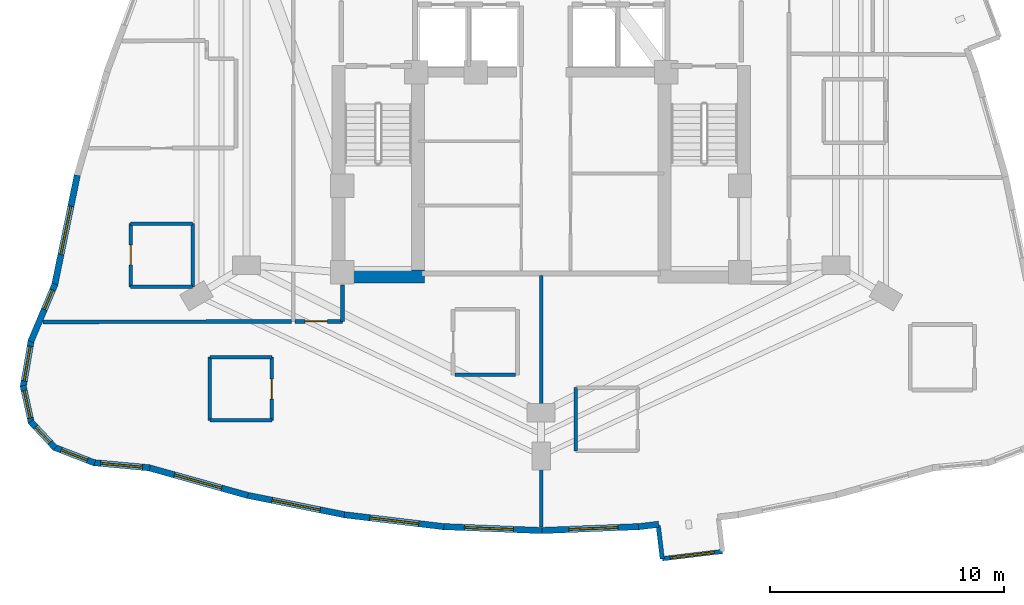
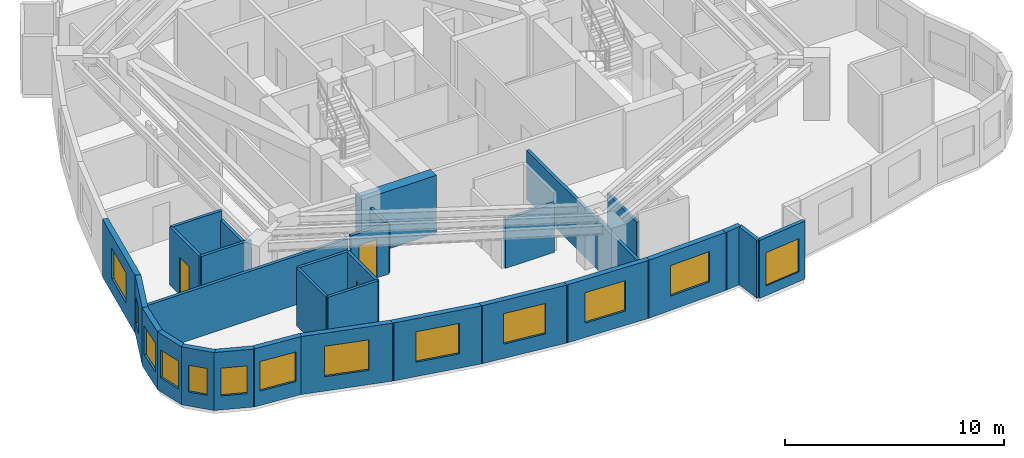
# One storey, part 6 of 12: 30 walls, 13 windows, 3 doors, 16 openings.
"""IFC4 building model written with IfcOpenShell, lengths in metres."""

from ifc_helpers import new_model, si_unit, direction, frame, frame_2d, origin, place, context, subcontext, project, spatial, rectangle, extrude, material, layer, layer_set, type_object, element, fill, save


model = new_model("IFC4")

# Units and contexts
model_context = context("Model", 3, precision=1e-05, world=origin(), true_north=direction((0.0, 1.0)))
body_context = subcontext(model_context, "Body", "Model", "MODEL_VIEW")
ifc_project = project(units=[si_unit("LENGTHUNIT", "METRE"), si_unit("AREAUNIT", "SQUARE_METRE"), si_unit("VOLUMEUNIT", "CUBIC_METRE"), si_unit("PLANEANGLEUNIT", "RADIAN"), si_unit("MASSUNIT", "GRAM", prefix="KILO")], contexts=[model_context])

# Site, building, storey
site_placement = place(None, origin())
site = spatial("IfcSite", under=ifc_project, at=site_placement, CompositionType="ELEMENT")
building_placement = place(site_placement, origin())
building = spatial("IfcBuilding", under=site, at=building_placement, Name="Miruveldt Soraemaru", CompositionType="ELEMENT")
storey_placement = place(building_placement, frame((0.0, 0.0, 107.39990234375)))
storey = spatial("IfcBuildingStorey", under=building, at=storey_placement, Name="L29", CompositionType="ELEMENT", Elevation=107.39990234375)

# Wall
ifc_material_1 = material(Name="White powder-coated aluminium EN AW-6060 T6", Category="aluminium")
ifc_layer_1 = layer(ifc_material_1, 0.18994140625, Name="White powder-coated aluminium EN AW-6060 T6", Category="aluminium")
ifc_layer_set_1 = layer_set([ifc_layer_1], Name="White powder-coated aluminium EN AW-6060 T6")
wall_type_1 = type_object("IfcWallType", Name="WALL-BAY-ALU190", PredefinedType="SOLIDWALL", material=ifc_layer_set_1)
wall_1_placement = place(storey_placement, frame((49.00439453125, 24.66650390625, 0.0), z_axis=(0.0, 0.0, 1.0), x_axis=(0.119246559468, -0.992864672579, 0.0)))
element("IfcWall", 1, at=wall_1_placement, inside=storey, type_object=wall_type_1, Name="L29 Bay Window Side Cheek 1L", PredefinedType="SOLIDWALL", context=body_context, shape_type="SweptSolid", body=[
    extrude(rectangle(XDim=1.425048828125, YDim=0.18994140625, at=frame_2d((0.71240234375, 0.0))), origin(), (0.0, 0.0, 1.0), 3.235107421875),
])

# Wall, opening, window
wall_2_placement = place(storey_placement, frame((49.17431640625, 23.251708984375, 0.0), z_axis=(0.0, 0.0, 1.0), x_axis=(0.992885278793, 0.119074863663, 0.0)))
wall_2 = element("IfcWall", 2, at=wall_2_placement, inside=storey, type_object=wall_type_1, Name="L29 Bay Window Front Frame 1", PredefinedType="SOLIDWALL", context=body_context, shape_type="SweptSolid", body=[
    extrude(rectangle(XDim=2.599853515625, YDim=0.18994140625, at=frame_2d((1.2998046875, 0.0))), origin(), (0.0, 0.0, 1.0), 3.235107421875),
])
opening_1_placement = place(wall_2_placement, frame((0.35009765625, 0.0, 0.550048828125)))
opening_1 = element("IfcOpeningElement", 3, at=opening_1_placement, cuts=wall_2, Name="Opening WN-6", PredefinedType="OPENING", context=body_context, shape_type="SweptSolid", body=[
    extrude(rectangle(XDim=1.89990234375, YDim=1.85009765625, at=frame_2d((0.949951171875, 0.925048828125))), frame((0.0, 0.10498046875, 0.0), z_axis=(0.0, -1.0, 0.0), x_axis=(1.0, 0.0, 0.0)), (0.0, 0.0, 1.0), 0.2099609375),
])
ifc_material_2 = material(Name="Triple low-e insulated glazing", Category="glass")
window_type_1 = type_object("IfcWindowType", Name="WIN-BAYW-1900x1850", PartitioningType="SINGLE_PANEL", PredefinedType="WINDOW", material=ifc_material_2)
window_1_placement = place(opening_1_placement, origin())
window_1 = element("IfcWindow", 4, at=window_1_placement, inside=storey, type_object=window_type_1, Name="L29 Projecting Bay Window 1", OverallHeight=1.85009765625, OverallWidth=1.89990234375, PartitioningType="SINGLE_PANEL", PredefinedType="WINDOW", context=body_context, shape_type="SweptSolid", body=[
    extrude(rectangle(XDim=1.89990234375, YDim=1.85009765625, at=frame_2d((0.949951171875, 0.925048828125))), frame((0.0, 0.030029296875, 0.0), z_axis=(0.0, -1.0, 0.0), x_axis=(1.0, 0.0, 0.0)), (0.0, 0.0, 1.0), 0.06005859375),
])
fill(opening_1, window_1)

# Wall
ifc_material_3 = material(Name="Concrete C70/85 (70 MPa)", Category="concrete")
ifc_layer_2 = layer(ifc_material_3, 0.550048828125, Name="Concrete C70/85 (70 MPa)", Category="concrete")
ifc_layer_set_2 = layer_set([ifc_layer_2], Name="Concrete C70/85 (70 MPa)")
wall_type_2 = type_object("IfcWallType", Name="WALL-CW-550", PredefinedType="SHEAR", material=ifc_layer_set_2)
wall_3_placement = place(storey_placement, frame((35.050048828125, 35.324951171875, 0.0), z_axis=(0.0, 0.0, 1.0), x_axis=(1.0, 0.0, 0.0)))
element("IfcWall", 5, at=wall_3_placement, inside=storey, type_object=wall_type_2, Name="L29 Central Core Shear Wall S1", PredefinedType="SHEAR", context=body_context, shape_type="SweptSolid", body=[
    extrude(rectangle(XDim=3.949951171875, YDim=0.550048828125, at=frame_2d((1.97509765625, 0.0))), origin(), (0.0, 0.0, 1.0), 3.235107421875),
])

# Wall, opening, window
ifc_material_4 = material(Name="Precast concrete C45/55 (45 MPa)", Category="concrete")
ifc_layer_3 = layer(ifc_material_4, 0.27001953125, Name="Precast concrete C45/55 (45 MPa)", Category="concrete")
ifc_layer_set_3 = layer_set([ifc_layer_3], Name="Precast concrete C45/55 (45 MPa)")
wall_type_3 = type_object("IfcWallType", Name="WALL-EXT-PC270", PredefinedType="SOLIDWALL", material=ifc_layer_set_3)
wall_4_placement = place(storey_placement, frame((24.16162109375, 39.652099609375, 0.0), z_axis=(0.0, 0.0, 1.0), x_axis=(-0.201557182252, -0.97947674923, 0.0)))
wall_4 = element("IfcWall", 6, at=wall_4_placement, inside=storey, type_object=wall_type_3, Name="L29 Precast Concrete Facade Wall 14", PredefinedType="SOLIDWALL", context=body_context, shape_type="SweptSolid", body=[
    extrude(rectangle(XDim=4.82080078125, YDim=0.27001953125, at=frame_2d((2.410400390625, 0.0))), origin(), (0.0, 0.0, 1.0), 3.235107421875),
])
opening_2_placement = place(wall_4_placement, frame((1.360107421875, 0.0, 0.800048828125)))
opening_2 = element("IfcOpeningElement", 7, at=opening_2_placement, cuts=wall_4, Name="Opening WN-1", PredefinedType="OPENING", context=body_context, shape_type="SweptSolid", body=[
    extrude(rectangle(XDim=2.10009765625, YDim=1.699951171875, at=frame_2d((1.050048828125, 0.85009765625))), frame((0.0, 0.14501953125, 0.0), z_axis=(0.0, -1.0, 0.0), x_axis=(1.0, 0.0, 0.0)), (0.0, 0.0, 1.0), 0.2900390625),
])
window_type_2 = type_object("IfcWindowType", Name="WIN-PUNCH-2100x1700", PartitioningType="SINGLE_PANEL", PredefinedType="WINDOW", material=ifc_material_2)
window_2_placement = place(opening_2_placement, origin())
window_2 = element("IfcWindow", 8, at=window_2_placement, inside=storey, type_object=window_type_2, Name="L29 Punched Triple-Glazed Window 14.1", OverallHeight=1.699951171875, OverallWidth=2.10009765625, PartitioningType="SINGLE_PANEL", PredefinedType="WINDOW", context=body_context, shape_type="SweptSolid", body=[
    extrude(rectangle(XDim=2.10009765625, YDim=1.699951171875, at=frame_2d((1.050048828125, 0.85009765625))), frame((0.0, 0.030029296875, 0.0), z_axis=(0.0, -1.0, 0.0), x_axis=(1.0, 0.0, 0.0)), (0.0, 0.0, 1.0), 0.06005859375),
])
fill(opening_2, window_2)

wall_5_placement = place(storey_placement, frame((23.210693359375, 34.99658203125, 0.0), z_axis=(0.0, 0.0, 1.0), x_axis=(-0.38867133727, -0.921376465721, 0.0)))
wall_5 = element("IfcWall", 9, at=wall_5_placement, inside=storey, type_object=wall_type_3, Name="L29 Precast Concrete Facade Wall 15", PredefinedType="SOLIDWALL", context=body_context, shape_type="SweptSolid", body=[
    extrude(rectangle(XDim=2.66455078125, YDim=0.27001953125, at=frame_2d((1.332275390625, 0.0))), origin(), (0.0, 0.0, 1.0), 3.235107421875),
])
opening_3_placement = place(wall_5_placement, frame((0.279052734375, 0.0, 0.780029296875)))
opening_3 = element("IfcOpeningElement", 10, at=opening_3_placement, cuts=wall_5, Name="Opening WN-7", PredefinedType="OPENING", context=body_context, shape_type="SweptSolid", body=[
    extrude(rectangle(XDim=0.89990234375, YDim=1.5, at=frame_2d((0.449951171875, 0.75))), frame((0.0, 0.14501953125, 0.0), z_axis=(0.0, -1.0, 0.0), x_axis=(1.0, 0.0, 0.0)), (0.0, 0.0, 1.0), 0.2900390625),
])
window_type_3 = type_object("IfcWindowType", Name="WIN-PUNCH-900x1500", PartitioningType="SINGLE_PANEL", PredefinedType="WINDOW", material=ifc_material_2)
window_3_placement = place(opening_3_placement, origin())
window_3 = element("IfcWindow", 11, at=window_3_placement, inside=storey, type_object=window_type_3, Name="L29 Punched Triple-Glazed Window 15.1", OverallHeight=1.5, OverallWidth=0.89990234375, PartitioningType="SINGLE_PANEL", PredefinedType="WINDOW", context=body_context, shape_type="SweptSolid", body=[
    extrude(rectangle(XDim=0.89990234375, YDim=1.5, at=frame_2d((0.449951171875, 0.75))), frame((0.0, 0.030029296875, 0.0), z_axis=(0.0, -1.0, 0.0), x_axis=(1.0, 0.0, 0.0)), (0.0, 0.0, 1.0), 0.06005859375),
])
fill(opening_3, window_3)

wall_6_placement = place(storey_placement, frame((22.194580078125, 32.608154296875, 0.0), z_axis=(0.0, 0.0, 1.0), x_axis=(-0.16931007095, -0.985562834057, 0.0)))
wall_6 = element("IfcWall", 12, at=wall_6_placement, inside=storey, type_object=wall_type_3, Name="L29 Precast Concrete Facade Wall 16", PredefinedType="SOLIDWALL", context=body_context, shape_type="SweptSolid", body=[
    extrude(rectangle(XDim=2.054931640625, YDim=0.27001953125, at=frame_2d((1.02734375, 0.0))), origin(), (0.0, 0.0, 1.0), 3.235107421875),
])
opening_4_placement = place(wall_6_placement, frame((0.278076171875, 0.0, 0.800048828125)))
opening_4 = element("IfcOpeningElement", 13, at=opening_4_placement, cuts=wall_6, Name="Opening WN-3", PredefinedType="OPENING", context=body_context, shape_type="SweptSolid", body=[
    extrude(rectangle(XDim=1.5, YDim=1.60009765625, at=frame_2d((0.75, 0.800048828125))), frame((0.0, 0.14501953125, 0.0), z_axis=(0.0, -1.0, 0.0), x_axis=(1.0, 0.0, 0.0)), (0.0, 0.0, 1.0), 0.2900390625),
])
window_type_4 = type_object("IfcWindowType", Name="WIN-PUNCH-1500x1600", PartitioningType="SINGLE_PANEL", PredefinedType="WINDOW", material=ifc_material_2)
window_4_placement = place(opening_4_placement, origin())
window_4 = element("IfcWindow", 14, at=window_4_placement, inside=storey, type_object=window_type_4, Name="L29 Punched Triple-Glazed Window 16.1", OverallHeight=1.60009765625, OverallWidth=1.5, PartitioningType="SINGLE_PANEL", PredefinedType="WINDOW", context=body_context, shape_type="SweptSolid", body=[
    extrude(rectangle(XDim=1.5, YDim=1.60009765625, at=frame_2d((0.75, 0.800048828125))), frame((0.0, 0.030029296875, 0.0), z_axis=(0.0, -1.0, 0.0), x_axis=(1.0, 0.0, 0.0)), (0.0, 0.0, 1.0), 0.06005859375),
])
fill(opening_4, window_4)

wall_7_placement = place(storey_placement, frame((21.844970703125, 30.651611328125, 0.0), z_axis=(0.0, 0.0, 1.0), x_axis=(0.215628344591, -0.976475507634, 0.0)))
wall_7 = element("IfcWall", 15, at=wall_7_placement, inside=storey, type_object=wall_type_3, Name="L29 Precast Concrete Facade Wall 17", PredefinedType="SOLIDWALL", context=body_context, shape_type="SweptSolid", body=[
    extrude(rectangle(XDim=1.628173828125, YDim=0.27001953125, at=frame_2d((0.81396484375, 0.0))), origin(), (0.0, 0.0, 1.0), 3.235107421875),
])
opening_5_placement = place(wall_7_placement, frame((0.214111328125, 0.0, 0.780029296875)))
opening_5 = element("IfcOpeningElement", 16, at=opening_5_placement, cuts=wall_7, Name="Opening WN-4", PredefinedType="OPENING", context=body_context, shape_type="SweptSolid", body=[
    extrude(rectangle(XDim=1.199951171875, YDim=1.550048828125, at=frame_2d((0.60009765625, 0.77490234375))), frame((0.0, 0.14501953125, 0.0), z_axis=(0.0, -1.0, 0.0), x_axis=(1.0, 0.0, 0.0)), (0.0, 0.0, 1.0), 0.2900390625),
])
window_type_5 = type_object("IfcWindowType", Name="WIN-PUNCH-1200x1550", PartitioningType="SINGLE_PANEL", PredefinedType="WINDOW", material=ifc_material_2)
window_5_placement = place(opening_5_placement, origin())
window_5 = element("IfcWindow", 17, at=window_5_placement, inside=storey, type_object=window_type_5, Name="L29 Punched Triple-Glazed Window 17.1", OverallHeight=1.550048828125, OverallWidth=1.199951171875, PartitioningType="SINGLE_PANEL", PredefinedType="WINDOW", context=body_context, shape_type="SweptSolid", body=[
    extrude(rectangle(XDim=1.199951171875, YDim=1.550048828125, at=frame_2d((0.60009765625, 0.77490234375))), frame((0.0, 0.030029296875, 0.0), z_axis=(0.0, -1.0, 0.0), x_axis=(1.0, 0.0, 0.0)), (0.0, 0.0, 1.0), 0.06005859375),
])
fill(opening_5, window_5)

wall_8_placement = place(storey_placement, frame((22.164794921875, 29.12158203125, 0.0), z_axis=(0.0, 0.0, 1.0), x_axis=(0.68019166937, -0.733034305418, 0.0)))
wall_8 = element("IfcWall", 18, at=wall_8_placement, inside=storey, type_object=wall_type_3, Name="L29 Precast Concrete Facade Wall 18", PredefinedType="SOLIDWALL", context=body_context, shape_type="SweptSolid", body=[
    extrude(rectangle(XDim=1.552490234375, YDim=0.27001953125, at=frame_2d((0.7763671875, 0.0))), origin(), (0.0, 0.0, 1.0), 3.235107421875),
])
opening_6_placement = place(wall_8_placement, frame((0.325927734375, 0.0, 0.780029296875)))
opening_6 = element("IfcOpeningElement", 19, at=opening_6_placement, cuts=wall_8, Name="Opening WN-7", PredefinedType="OPENING", context=body_context, shape_type="SweptSolid", body=[
    extrude(rectangle(XDim=0.89990234375, YDim=1.5, at=frame_2d((0.449951171875, 0.75))), frame((0.0, 0.14501953125, 0.0), z_axis=(0.0, -1.0, 0.0), x_axis=(1.0, 0.0, 0.0)), (0.0, 0.0, 1.0), 0.2900390625),
])
window_6_placement = place(opening_6_placement, origin())
window_6 = element("IfcWindow", 20, at=window_6_placement, inside=storey, type_object=window_type_3, Name="L29 Punched Triple-Glazed Window 18.1", OverallHeight=1.5, OverallWidth=0.89990234375, PartitioningType="SINGLE_PANEL", PredefinedType="WINDOW", context=body_context, shape_type="SweptSolid", body=[
    extrude(rectangle(XDim=0.89990234375, YDim=1.5, at=frame_2d((0.449951171875, 0.75))), frame((0.0, 0.030029296875, 0.0), z_axis=(0.0, -1.0, 0.0), x_axis=(1.0, 0.0, 0.0)), (0.0, 0.0, 1.0), 0.06005859375),
])
fill(opening_6, window_6)

wall_9_placement = place(storey_placement, frame((23.164306640625, 28.02197265625, 0.0), z_axis=(0.0, 0.0, 1.0), x_axis=(0.932266214278, -0.361773003023, 0.0)))
wall_9 = element("IfcWall", 21, at=wall_9_placement, inside=storey, type_object=wall_type_3, Name="L29 Precast Concrete Facade Wall 19", PredefinedType="SOLIDWALL", context=body_context, shape_type="SweptSolid", body=[
    extrude(rectangle(XDim=1.872802734375, YDim=0.27001953125, at=frame_2d((0.9365234375, 0.0))), origin(), (0.0, 0.0, 1.0), 3.235107421875),
])
opening_7_placement = place(wall_9_placement, frame((0.3369140625, 0.0, 0.780029296875)))
opening_7 = element("IfcOpeningElement", 22, at=opening_7_placement, cuts=wall_9, Name="Opening WN-4", PredefinedType="OPENING", context=body_context, shape_type="SweptSolid", body=[
    extrude(rectangle(XDim=1.199951171875, YDim=1.550048828125, at=frame_2d((0.60009765625, 0.77490234375))), frame((0.0, 0.14501953125, 0.0), z_axis=(0.0, -1.0, 0.0), x_axis=(1.0, 0.0, 0.0)), (0.0, 0.0, 1.0), 0.2900390625),
])
window_7_placement = place(opening_7_placement, origin())
window_7 = element("IfcWindow", 23, at=window_7_placement, inside=storey, type_object=window_type_5, Name="L29 Punched Triple-Glazed Window 19.1", OverallHeight=1.550048828125, OverallWidth=1.199951171875, PartitioningType="SINGLE_PANEL", PredefinedType="WINDOW", context=body_context, shape_type="SweptSolid", body=[
    extrude(rectangle(XDim=1.199951171875, YDim=1.550048828125, at=frame_2d((0.60009765625, 0.77490234375))), frame((0.0, 0.030029296875, 0.0), z_axis=(0.0, -1.0, 0.0), x_axis=(1.0, 0.0, 0.0)), (0.0, 0.0, 1.0), 0.06005859375),
])
fill(opening_7, window_7)

wall_10_placement = place(storey_placement, frame((24.8427734375, 27.360595703125, 0.0), z_axis=(0.0, 0.0, 1.0), x_axis=(0.995757206461, -0.092019485874, 0.0)))
wall_10 = element("IfcWall", 24, at=wall_10_placement, inside=storey, type_object=wall_type_3, Name="L29 Precast Concrete Facade Wall 20", PredefinedType="SOLIDWALL", context=body_context, shape_type="SweptSolid", body=[
    extrude(rectangle(XDim=2.432861328125, YDim=0.27001953125, at=frame_2d((1.21630859375, 0.0))), origin(), (0.0, 0.0, 1.0), 3.235107421875),
])
opening_8_placement = place(wall_10_placement, frame((0.31689453125, 0.0, 0.800048828125)))
opening_8 = element("IfcOpeningElement", 25, at=opening_8_placement, cuts=wall_10, Name="Opening WN-2", PredefinedType="OPENING", context=body_context, shape_type="SweptSolid", body=[
    extrude(rectangle(XDim=1.800048828125, YDim=1.64990234375, at=frame_2d((0.89990234375, 0.824951171875))), frame((0.0, 0.14501953125, 0.0), z_axis=(0.0, -1.0, 0.0), x_axis=(1.0, 0.0, 0.0)), (0.0, 0.0, 1.0), 0.2900390625),
])
window_type_6 = type_object("IfcWindowType", Name="WIN-PUNCH-1800x1650", PartitioningType="SINGLE_PANEL", PredefinedType="WINDOW", material=ifc_material_2)
window_8_placement = place(opening_8_placement, origin())
window_8 = element("IfcWindow", 26, at=window_8_placement, inside=storey, type_object=window_type_6, Name="L29 Punched Triple-Glazed Window 20.1", OverallHeight=1.64990234375, OverallWidth=1.800048828125, PartitioningType="SINGLE_PANEL", PredefinedType="WINDOW", context=body_context, shape_type="SweptSolid", body=[
    extrude(rectangle(XDim=1.800048828125, YDim=1.64990234375, at=frame_2d((0.89990234375, 0.824951171875))), frame((0.0, 0.030029296875, 0.0), z_axis=(0.0, -1.0, 0.0), x_axis=(1.0, 0.0, 0.0)), (0.0, 0.0, 1.0), 0.06005859375),
])
fill(opening_8, window_8)

wall_11_placement = place(storey_placement, frame((27.19677734375, 27.1494140625, 0.0), z_axis=(0.0, 0.0, 1.0), x_axis=(0.962970324639, -0.269607406916, 0.0)))
wall_11 = element("IfcWall", 27, at=wall_11_placement, inside=storey, type_object=wall_type_3, Name="L29 Precast Concrete Facade Wall 21", PredefinedType="SOLIDWALL", context=body_context, shape_type="SweptSolid", body=[
    extrude(rectangle(XDim=4.423583984375, YDim=0.27001953125, at=frame_2d((2.2119140625, 0.0))), origin(), (0.0, 0.0, 1.0), 3.235107421875),
])
opening_9_placement = place(wall_11_placement, frame((1.162109375, 0.0, 0.800048828125)))
opening_9 = element("IfcOpeningElement", 28, at=opening_9_placement, cuts=wall_11, Name="Opening WN-1", PredefinedType="OPENING", context=body_context, shape_type="SweptSolid", body=[
    extrude(rectangle(XDim=2.10009765625, YDim=1.699951171875, at=frame_2d((1.050048828125, 0.85009765625))), frame((0.0, 0.14501953125, 0.0), z_axis=(0.0, -1.0, 0.0), x_axis=(1.0, 0.0, 0.0)), (0.0, 0.0, 1.0), 0.2900390625),
])
window_9_placement = place(opening_9_placement, origin())
window_9 = element("IfcWindow", 29, at=window_9_placement, inside=storey, type_object=window_type_2, Name="L29 Punched Triple-Glazed Window 21.1", OverallHeight=1.699951171875, OverallWidth=2.10009765625, PartitioningType="SINGLE_PANEL", PredefinedType="WINDOW", context=body_context, shape_type="SweptSolid", body=[
    extrude(rectangle(XDim=2.10009765625, YDim=1.699951171875, at=frame_2d((1.050048828125, 0.85009765625))), frame((0.0, 0.030029296875, 0.0), z_axis=(0.0, -1.0, 0.0), x_axis=(1.0, 0.0, 0.0)), (0.0, 0.0, 1.0), 0.06005859375),
])
fill(opening_9, window_9)

wall_12_placement = place(storey_placement, frame((31.388427734375, 25.972900390625, 0.0), z_axis=(0.0, 0.0, 1.0), x_axis=(0.98057635362, -0.196137744255, 0.0)))
wall_12 = element("IfcWall", 30, at=wall_12_placement, inside=storey, type_object=wall_type_3, Name="L29 Precast Concrete Facade Wall 22", PredefinedType="SOLIDWALL", context=body_context, shape_type="SweptSolid", body=[
    extrude(rectangle(XDim=4.345458984375, YDim=0.27001953125, at=frame_2d((2.1728515625, 0.0))), origin(), (0.0, 0.0, 1.0), 3.235107421875),
])
opening_10_placement = place(wall_12_placement, frame((1.1220703125, 0.0, 0.800048828125)))
opening_10 = element("IfcOpeningElement", 31, at=opening_10_placement, cuts=wall_12, Name="Opening WN-1", PredefinedType="OPENING", context=body_context, shape_type="SweptSolid", body=[
    extrude(rectangle(XDim=2.10009765625, YDim=1.699951171875, at=frame_2d((1.050048828125, 0.85009765625))), frame((0.0, 0.14501953125, 0.0), z_axis=(0.0, -1.0, 0.0), x_axis=(1.0, 0.0, 0.0)), (0.0, 0.0, 1.0), 0.2900390625),
])
window_10_placement = place(opening_10_placement, origin())
window_10 = element("IfcWindow", 32, at=window_10_placement, inside=storey, type_object=window_type_2, Name="L29 Punched Triple-Glazed Window 22.1", OverallHeight=1.699951171875, OverallWidth=2.10009765625, PartitioningType="SINGLE_PANEL", PredefinedType="WINDOW", context=body_context, shape_type="SweptSolid", body=[
    extrude(rectangle(XDim=2.10009765625, YDim=1.699951171875, at=frame_2d((1.050048828125, 0.85009765625))), frame((0.0, 0.030029296875, 0.0), z_axis=(0.0, -1.0, 0.0), x_axis=(1.0, 0.0, 0.0)), (0.0, 0.0, 1.0), 0.06005859375),
])
fill(opening_10, window_10)

wall_13_placement = place(storey_placement, frame((35.580322265625, 25.1318359375, 0.0), z_axis=(0.0, 0.0, 1.0), x_axis=(0.992875761938, -0.119154191514, 0.0)))
wall_13 = element("IfcWall", 33, at=wall_13_placement, inside=storey, type_object=wall_type_3, Name="L29 Precast Concrete Facade Wall 23", PredefinedType="SOLIDWALL", context=body_context, shape_type="SweptSolid", body=[
    extrude(rectangle(XDim=4.29248046875, YDim=0.27001953125, at=frame_2d((2.146240234375, 0.0))), origin(), (0.0, 0.0, 1.0), 3.235107421875),
])
opening_11_placement = place(wall_13_placement, frame((1.096923828125, 0.0, 0.800048828125)))
opening_11 = element("IfcOpeningElement", 34, at=opening_11_placement, cuts=wall_13, Name="Opening WN-1", PredefinedType="OPENING", context=body_context, shape_type="SweptSolid", body=[
    extrude(rectangle(XDim=2.10009765625, YDim=1.699951171875, at=frame_2d((1.050048828125, 0.85009765625))), frame((0.0, 0.14501953125, 0.0), z_axis=(0.0, -1.0, 0.0), x_axis=(1.0, 0.0, 0.0)), (0.0, 0.0, 1.0), 0.2900390625),
])
window_11_placement = place(opening_11_placement, origin())
window_11 = element("IfcWindow", 35, at=window_11_placement, inside=storey, type_object=window_type_2, Name="L29 Punched Triple-Glazed Window 23.1", OverallHeight=1.699951171875, OverallWidth=2.10009765625, PartitioningType="SINGLE_PANEL", PredefinedType="WINDOW", context=body_context, shape_type="SweptSolid", body=[
    extrude(rectangle(XDim=2.10009765625, YDim=1.699951171875, at=frame_2d((1.050048828125, 0.85009765625))), frame((0.0, 0.030029296875, 0.0), z_axis=(0.0, -1.0, 0.0), x_axis=(1.0, 0.0, 0.0)), (0.0, 0.0, 1.0), 0.06005859375),
])
fill(opening_11, window_11)

wall_14_placement = place(storey_placement, frame((39.772705078125, 24.6259765625, 0.0), z_axis=(0.0, 0.0, 1.0), x_axis=(0.999199403675, -0.040006895588, 0.0)))
wall_14 = element("IfcWall", 36, at=wall_14_placement, inside=storey, type_object=wall_type_3, Name="L29 Precast Concrete Facade Wall 24", PredefinedType="SOLIDWALL", context=body_context, shape_type="SweptSolid", body=[
    extrude(rectangle(XDim=4.265625, YDim=0.27001953125, at=frame_2d((2.1328125, 0.0))), origin(), (0.0, 0.0, 1.0), 3.235107421875),
])
opening_12_placement = place(wall_14_placement, frame((0.943115234375, 0.0, 0.800048828125)))
opening_12 = element("IfcOpeningElement", 37, at=opening_12_placement, cuts=wall_14, Name="Opening WN-1", PredefinedType="OPENING", context=body_context, shape_type="SweptSolid", body=[
    extrude(rectangle(XDim=2.10009765625, YDim=1.699951171875, at=frame_2d((1.050048828125, 0.85009765625))), frame((0.0, 0.14501953125, 0.0), z_axis=(0.0, -1.0, 0.0), x_axis=(1.0, 0.0, 0.0)), (0.0, 0.0, 1.0), 0.2900390625),
])
window_12_placement = place(opening_12_placement, origin())
window_12 = element("IfcWindow", 38, at=window_12_placement, inside=storey, type_object=window_type_2, Name="L29 Punched Triple-Glazed Window 24.1", OverallHeight=1.699951171875, OverallWidth=2.10009765625, PartitioningType="SINGLE_PANEL", PredefinedType="WINDOW", context=body_context, shape_type="SweptSolid", body=[
    extrude(rectangle(XDim=2.10009765625, YDim=1.699951171875, at=frame_2d((1.050048828125, 0.85009765625))), frame((0.0, 0.030029296875, 0.0), z_axis=(0.0, -1.0, 0.0), x_axis=(1.0, 0.0, 0.0)), (0.0, 0.0, 1.0), 0.06005859375),
])
fill(opening_12, window_12)

wall_15_placement = place(storey_placement, frame((43.965087890625, 24.455322265625, 0.0), z_axis=(0.0, 0.0, 1.0), x_axis=(0.999199403675, 0.040006895588, 0.0)))
wall_15 = element("IfcWall", 39, at=wall_15_placement, inside=storey, type_object=wall_type_3, Name="L29 Precast Concrete Facade Wall 25", PredefinedType="SOLIDWALL", context=body_context, shape_type="SweptSolid", body=[
    extrude(rectangle(XDim=4.265625, YDim=0.27001953125, at=frame_2d((2.1328125, 0.0))), origin(), (0.0, 0.0, 1.0), 3.235107421875),
])
opening_13_placement = place(wall_15_placement, frame((1.22412109375, 0.0, 0.800048828125)))
opening_13 = element("IfcOpeningElement", 40, at=opening_13_placement, cuts=wall_15, Name="Opening WN-1", PredefinedType="OPENING", context=body_context, shape_type="SweptSolid", body=[
    extrude(rectangle(XDim=2.10009765625, YDim=1.699951171875, at=frame_2d((1.050048828125, 0.85009765625))), frame((0.0, 0.14501953125, 0.0), z_axis=(0.0, -1.0, 0.0), x_axis=(1.0, 0.0, 0.0)), (0.0, 0.0, 1.0), 0.2900390625),
])
window_13_placement = place(opening_13_placement, origin())
window_13 = element("IfcWindow", 41, at=window_13_placement, inside=storey, type_object=window_type_2, Name="L29 Punched Triple-Glazed Window 25.1", OverallHeight=1.699951171875, OverallWidth=2.10009765625, PartitioningType="SINGLE_PANEL", PredefinedType="WINDOW", context=body_context, shape_type="SweptSolid", body=[
    extrude(rectangle(XDim=2.10009765625, YDim=1.699951171875, at=frame_2d((1.050048828125, 0.85009765625))), frame((0.0, 0.030029296875, 0.0), z_axis=(0.0, -1.0, 0.0), x_axis=(1.0, 0.0, 0.0)), (0.0, 0.0, 1.0), 0.06005859375),
])
fill(opening_13, window_13)

# Wall
wall_16_placement = place(storey_placement, frame((48.15771484375, 24.620361328125, 0.0), z_axis=(0.0, 0.0, 1.0), x_axis=(0.992862326792, 0.119266089213, 0.0)))
element("IfcWall", 42, at=wall_16_placement, inside=storey, type_object=wall_type_3, Name="L29 Precast Pier Wall 26A", PredefinedType="SOLIDWALL", context=body_context, shape_type="SweptSolid", body=[
    extrude(rectangle(XDim=0.876220703125, YDim=0.27001953125, at=frame_2d((0.43798828125, 0.0))), origin(), (0.0, 0.0, 1.0), 3.235107421875),
])

# Wall, opening, door
ifc_material_5 = material(Name="Gypsum plasterboard lining", Category="gypsum")
ifc_layer_4 = layer(ifc_material_5, 0.14990234375, Name="Gypsum plasterboard lining", Category="gypsum")
ifc_layer_set_4 = layer_set([ifc_layer_4], Name="Gypsum plasterboard lining")
wall_type_4 = type_object("IfcWallType", Name="WALL-INT-PLUMB", PredefinedType="PLUMBINGWALL", material=ifc_layer_set_4)
wall_17_placement = place(storey_placement, frame((32.48193359375, 29.1689453125, 0.0), z_axis=(0.0, 0.0, 1.0), x_axis=(0.0, 1.0, 0.0)))
wall_17 = element("IfcWall", 43, at=wall_17_placement, inside=storey, type_object=wall_type_4, Name="L29 Partition Wall 66", PredefinedType="PLUMBINGWALL", context=body_context, shape_type="SweptSolid", body=[
    extrude(rectangle(XDim=2.699951171875, YDim=0.14990234375, at=frame_2d((1.35009765625, 0.0))), origin(), (0.0, 0.0, 1.0), 3.235107421875),
])
opening_14_placement = place(wall_17_placement, frame((0.909912109375, 0.0, 0.0)))
opening_14 = element("IfcOpeningElement", 44, at=opening_14_placement, cuts=wall_17, Name="Opening FD3", PredefinedType="OPENING", context=body_context, shape_type="SweptSolid", body=[
    extrude(rectangle(XDim=0.85009765625, YDim=2.10009765625, at=frame_2d((0.425048828125, 1.050048828125))), frame((0.0, 0.0849609375, 0.0), z_axis=(0.0, -1.0, 0.0), x_axis=(1.0, 0.0, 0.0)), (0.0, 0.0, 1.0), 0.169921875),
])
ifc_material_6 = material(Name="Anodised aluminium EN AW-6063 T6", Category="aluminium")
door_type_1 = type_object("IfcDoorType", Name="DOOR-FD3-850", OperationType="NOTDEFINED", PredefinedType="DOOR", material=ifc_material_6)
door_1_placement = place(opening_14_placement, origin())
door_1 = element("IfcDoor", 45, at=door_1_placement, inside=storey, type_object=door_type_1, Name="L29 Unit CL06 BTH Door", OperationType="SINGLE_SWING_LEFT", OverallHeight=2.10009765625, OverallWidth=0.85009765625, PredefinedType="DOOR", context=body_context, shape_type="SweptSolid", body=[
    extrude(rectangle(XDim=0.85009765625, YDim=2.10009765625, at=frame_2d((0.425048828125, 1.050048828125))), frame((0.0, 0.02490234375, 0.0), z_axis=(0.0, -1.0, 0.0), x_axis=(1.0, 0.0, 0.0)), (0.0, 0.0, 1.0), 0.050048828125),
])
fill(opening_14, door_1)

wall_18_placement = place(storey_placement, frame((26.447021484375, 37.580078125, 0.0), z_axis=(0.0, 0.0, 1.0), x_axis=(0.0, -1.0, 0.0)))
wall_18 = element("IfcWall", 46, at=wall_18_placement, inside=storey, type_object=wall_type_4, Name="L29 Partition Wall 39", PredefinedType="PLUMBINGWALL", context=body_context, shape_type="SweptSolid", body=[
    extrude(rectangle(XDim=2.7001953125, YDim=0.14990234375, at=frame_2d((1.35009765625, 0.0))), origin(), (0.0, 0.0, 1.0), 3.235107421875),
])
opening_15_placement = place(wall_18_placement, frame((0.909912109375, 0.0, 0.0)))
opening_15 = element("IfcOpeningElement", 47, at=opening_15_placement, cuts=wall_18, Name="Opening FD3", PredefinedType="OPENING", context=body_context, shape_type="SweptSolid", body=[
    extrude(rectangle(XDim=0.85009765625, YDim=2.10009765625, at=frame_2d((0.425048828125, 1.050048828125))), frame((0.0, 0.0849609375, 0.0), z_axis=(0.0, -1.0, 0.0), x_axis=(1.0, 0.0, 0.0)), (0.0, 0.0, 1.0), 0.169921875),
])
door_2_placement = place(opening_15_placement, origin())
door_2 = element("IfcDoor", 48, at=door_2_placement, inside=storey, type_object=door_type_1, Name="L29 Unit 2903 BTH Door", OperationType="SINGLE_SWING_LEFT", OverallHeight=2.10009765625, OverallWidth=0.85009765625, PredefinedType="DOOR", context=body_context, shape_type="SweptSolid", body=[
    extrude(rectangle(XDim=0.85009765625, YDim=2.10009765625, at=frame_2d((0.425048828125, 1.050048828125))), frame((0.0, 0.02490234375, 0.0), z_axis=(0.0, -1.0, 0.0), x_axis=(1.0, 0.0, 0.0)), (0.0, 0.0, 1.0), 0.050048828125),
])
fill(opening_15, door_2)

# Walls
wall_19_placement = place(storey_placement, frame((45.47998046875, 30.569091796875, 0.0), z_axis=(0.0, 0.0, 1.0), x_axis=(0.0, -1.0, 0.0)))
element("IfcWall", 49, at=wall_19_placement, inside=storey, type_object=wall_type_4, Name="L29 Partition Wall 51", PredefinedType="PLUMBINGWALL", context=body_context, shape_type="SweptSolid", body=[
    extrude(rectangle(XDim=2.7001953125, YDim=0.14990234375, at=frame_2d((1.35009765625, 0.0))), origin(), (0.0, 0.0, 1.0), 2.72314453125),
])
wall_20_placement = place(storey_placement, frame((29.83203125, 31.868896484375, 0.0), z_axis=(0.0, 0.0, 1.0), x_axis=(0.0, -1.0, 0.0)))
element("IfcWall", 50, at=wall_20_placement, inside=storey, type_object=wall_type_4, Name="L29 Partition Wall 68", PredefinedType="PLUMBINGWALL", context=body_context, shape_type="SweptSolid", body=[
    extrude(rectangle(XDim=2.699951171875, YDim=0.14990234375, at=frame_2d((1.35009765625, 0.0))), origin(), (0.0, 0.0, 1.0), 3.235107421875),
])
wall_21_placement = place(storey_placement, frame((29.096923828125, 34.8798828125, 0.0), z_axis=(0.0, 0.0, 1.0), x_axis=(0.0, 1.0, 0.0)))
element("IfcWall", 51, at=wall_21_placement, inside=storey, type_object=wall_type_4, Name="L29 Partition Wall 37", PredefinedType="PLUMBINGWALL", context=body_context, shape_type="SweptSolid", body=[
    extrude(rectangle(XDim=2.7001953125, YDim=0.14990234375, at=frame_2d((1.35009765625, 0.0))), origin(), (0.0, 0.0, 1.0), 2.72314453125),
])
for number, where, z_axis, x_axis, name in (
    (52, (29.096923828125, 37.580078125, 0.0), (0.0, 0.0, 1.0), (-1.0, 0.0, 0.0), "L29 Partition Wall 38"),
    (53, (26.447021484375, 34.8798828125, 0.0), (0.0, 0.0, 1.0), (1.0, 0.0, 0.0), "L29 Partition Wall 40"),
    (54, (32.48193359375, 31.868896484375, 0.0), (0.0, 0.0, 1.0), (-1.0, 0.0, 0.0), "L29 Partition Wall 67"),
    (55, (29.83203125, 29.1689453125, 0.0), (0.0, 0.0, 1.0), (1.0, 0.0, 0.0), "L29 Partition Wall 69"),
):
    element("IfcWall", number, at=place(storey_placement, frame(where, z_axis=z_axis, x_axis=x_axis)), inside=storey, type_object=wall_type_4, Name=name, PredefinedType="PLUMBINGWALL", context=body_context, shape_type="SweptSolid", body=[
        extrude(rectangle(XDim=2.64990234375, YDim=0.14990234375, at=frame_2d((1.324951171875, 0.0))), origin(), (0.0, 0.0, 1.0), 3.235107421875),
    ])

# Wall, opening, door
ifc_material_7 = material(Name="Concrete C40/50 (40 MPa)", Category="concrete")
ifc_layer_5 = layer(ifc_material_7, 0.159912109375, Name="Concrete C40/50 (40 MPa)", Category="concrete")
ifc_layer_set_5 = layer_set([ifc_layer_5], Name="Concrete C40/50 (40 MPa)")
wall_type_5 = type_object("IfcWallType", Name="WALL-INT-RC160", PredefinedType="SOLIDWALL", material=ifc_layer_set_5)
wall_22_placement = place(storey_placement, frame((33.47998046875, 33.39990234375, 0.0), z_axis=(0.0, 0.0, 1.0), x_axis=(1.0, 0.0, 0.0)))
wall_22 = element("IfcWall", 56, at=wall_22_placement, inside=storey, type_object=wall_type_5, Name="L29 Partition Wall 7", PredefinedType="SOLIDWALL", context=body_context, shape_type="SweptSolid", body=[
    extrude(rectangle(XDim=2.02001953125, YDim=0.159912109375, at=frame_2d((1.010009765625, 0.0))), origin(), (0.0, 0.0, 1.0), 2.822998046875),
])
opening_16_placement = place(wall_22_placement, frame((0.425048828125, 0.0, 0.0)))
opening_16 = element("IfcOpeningElement", 57, at=opening_16_placement, cuts=wall_22, Name="Opening FD2", PredefinedType="OPENING", context=body_context, shape_type="SweptSolid", body=[
    extrude(rectangle(XDim=0.949951171875, YDim=2.14990234375, at=frame_2d((0.47509765625, 1.074951171875))), frame((0.0, 0.08984375, 0.0), z_axis=(0.0, -1.0, 0.0), x_axis=(1.0, 0.0, 0.0)), (0.0, 0.0, 1.0), 0.179931640625),
])
door_type_2 = type_object("IfcDoorType", Name="DOOR-FD2-950", OperationType="NOTDEFINED", PredefinedType="DOOR", material=ifc_material_6)
door_3_placement = place(opening_16_placement, origin())
door_3 = element("IfcDoor", 58, at=door_3_placement, inside=storey, type_object=door_type_2, Name="L29 Unit CL06 Entrance Fire Door", OperationType="SINGLE_SWING_RIGHT", OverallHeight=2.14990234375, OverallWidth=0.949951171875, PredefinedType="DOOR", context=body_context, shape_type="SweptSolid", body=[
    extrude(rectangle(XDim=0.949951171875, YDim=2.14990234375, at=frame_2d((0.47509765625, 1.074951171875))), frame((0.0, 0.02490234375, 0.0), z_axis=(0.0, -1.0, 0.0), x_axis=(1.0, 0.0, 0.0)), (0.0, 0.0, 1.0), 0.050048828125),
])
fill(opening_16, door_3)

# Walls
wall_23_placement = place(storey_placement, frame((44.0, 35.364990234375, 0.0), z_axis=(0.0, 0.0, 1.0), x_axis=(0.0, -1.0, 0.0)))
element("IfcWall", 59, at=wall_23_placement, inside=storey, type_object=wall_type_5, Name="L29 Partition Wall 58", PredefinedType="SOLIDWALL", context=body_context, shape_type="SweptSolid", body=[
    extrude(rectangle(XDim=10.758056640625, YDim=0.159912109375, at=frame_2d((5.37890625, 0.0))), origin(), (0.0, 0.0, 1.0), 2.72314453125),
])
wall_24_placement = place(storey_placement, frame((22.68896484375, 33.3740234375, 0.0), z_axis=(0.0, 0.0, 1.0), x_axis=(0.999997037194, 0.002434256193, 0.0)))
element("IfcWall", 60, at=wall_24_placement, inside=storey, type_object=wall_type_5, Name="L29 Partition Wall 48", PredefinedType="SOLIDWALL", context=body_context, shape_type="SweptSolid", body=[
    extrude(rectangle(XDim=10.631103515625, YDim=0.159912109375, at=frame_2d((5.3154296875, 0.0))), origin(), (0.0, 0.0, 1.0), 2.72314453125),
])
wall_25_placement = place(storey_placement, frame((40.31201171875, 31.118896484375, 0.0), z_axis=(0.0, 0.0, 1.0), x_axis=(1.0, 0.0, 0.0)))
element("IfcWall", 61, at=wall_25_placement, inside=storey, type_object=wall_type_5, Name="L29 Partition Wall 73", PredefinedType="SOLIDWALL", context=body_context, shape_type="SweptSolid", body=[
    extrude(rectangle(XDim=2.590087890625, YDim=0.159912109375, at=frame_2d((1.294921875, 0.0))), origin(), (0.0, 0.0, 1.0), 2.735107421875),
])
wall_26_placement = place(storey_placement, frame((35.5, 33.39990234375, 0.0), z_axis=(0.0, 0.0, 1.0), x_axis=(0.0, 1.0, 0.0)))
element("IfcWall", 62, at=wall_26_placement, inside=storey, type_object=wall_type_5, Name="L29 Partition Wall 8", PredefinedType="SOLIDWALL", context=body_context, shape_type="SweptSolid", body=[
    extrude(rectangle(XDim=1.547119140625, YDim=0.159912109375, at=frame_2d((0.7734375, 0.0))), origin(), (0.0, 0.0, 1.0), 2.735107421875),
])

save(model, "model.ifc")
